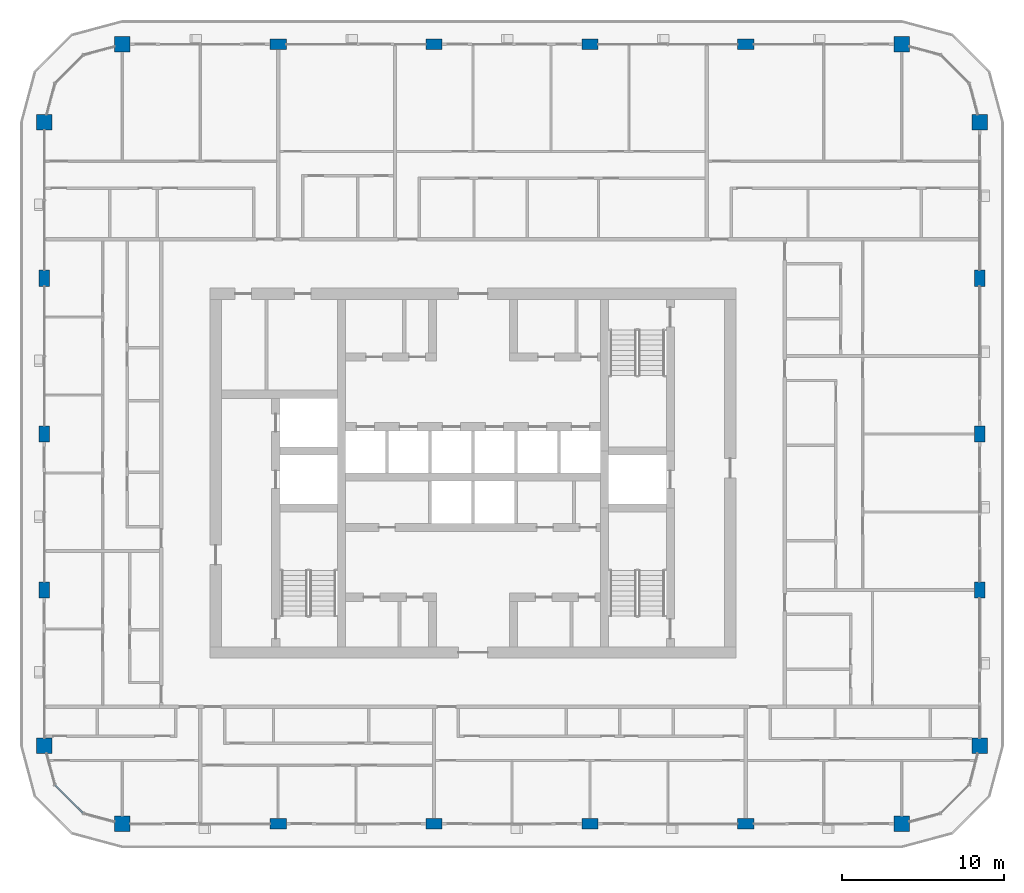
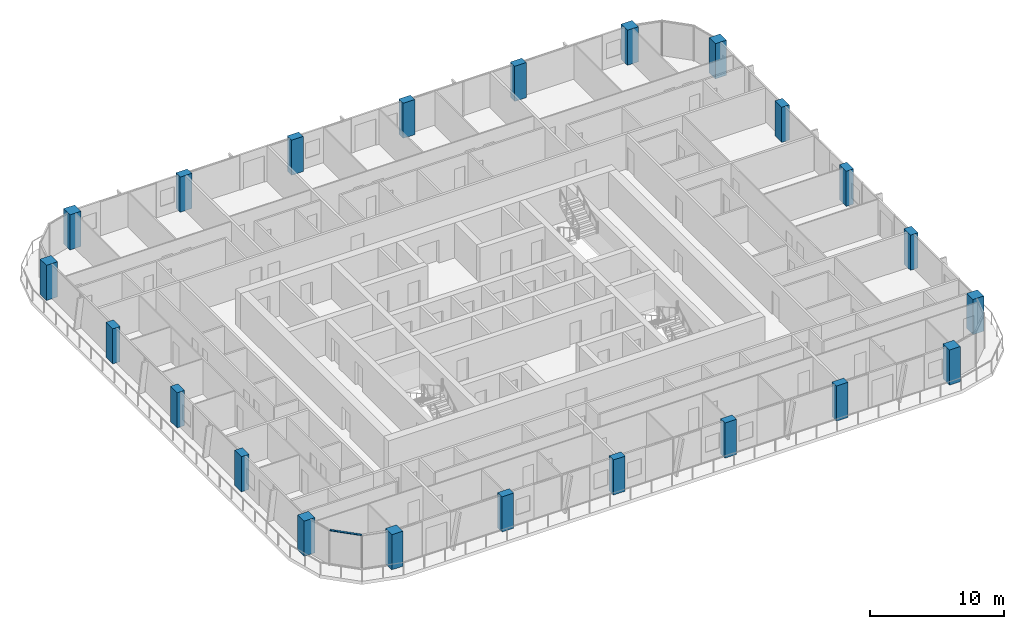
# One storey, part 1 of 23: 22 columns, 1 member, 1 element without a shape of its own.
"""IFC4 building model written with IfcOpenShell, lengths in metres."""

from ifc_helpers import new_model, si_unit, direction, frame, origin, origin_2d, place, context, subcontext, project, spatial, rectangle, extrude, material, layer, layer_set, material_profile, profile_set, type_object, element, aggregate, save


model = new_model("IFC4")

# Units and contexts
model_context = context("Model", 3, precision=1e-05, world=origin(), true_north=direction((0.0, 1.0)))
body_context = subcontext(model_context, "Body", "Model", "MODEL_VIEW")
ifc_project = project(units=[si_unit("LENGTHUNIT", "METRE"), si_unit("AREAUNIT", "SQUARE_METRE"), si_unit("VOLUMEUNIT", "CUBIC_METRE"), si_unit("PLANEANGLEUNIT", "RADIAN"), si_unit("MASSUNIT", "GRAM", prefix="KILO")], contexts=[model_context])

# Site, building, storey
site_placement = place(None, origin())
site = spatial("IfcSite", under=ifc_project, at=site_placement, CompositionType="ELEMENT")
building_placement = place(site_placement, origin())
building = spatial("IfcBuilding", under=site, at=building_placement, Name="Madar Terraces", CompositionType="ELEMENT")
storey_placement = place(building_placement, frame((0.0, 0.0, 226.300048828125)))
storey = spatial("IfcBuildingStorey", under=building, at=storey_placement, Name="L59", CompositionType="ELEMENT", Elevation=226.300048828125)

# Columns
ifc_material_1 = material(Name="Concrete C60/75", Category="concrete")
ifc_material_profile_1 = material_profile(ifc_material_1, rectangle(XDim=1.0, YDim=0.64990234375, at=origin_2d()), Name="CC4 RC 1000x650")
ifc_profile_set_1 = profile_set([ifc_material_profile_1], Name="Concrete C60/75")
column_type_1 = type_object("IfcColumnType", Name="CC4 RC 1000x650", PredefinedType="COLUMN", material=ifc_profile_set_1)
for number, where, z_axis, x_axis, name in (
    (1, (19.199951171875, 4.800048828125, 0.0), (0.0, 0.0, 1.0), (1.0, 0.0, 0.0), "Perimeter column S2"),
    (2, (28.800048828125, 4.800048828125, 0.0), (0.0, 0.0, 1.0), (1.0, 0.0, 0.0), "Perimeter column S3"),
    (3, (38.39990234375, 4.800048828125, 0.0), (0.0, 0.0, 1.0), (1.0, 0.0, 0.0), "Perimeter column S4"),
    (4, (48.0, 4.800048828125, 0.0), (0.0, 0.0, 1.0), (1.0, 0.0, 0.0), "Perimeter column S5"),
    (5, (62.39990234375, 19.199951171875, 0.0), (0.0, 0.0, 1.0), (0.0, 1.0, 0.0), "Perimeter column E2"),
    (6, (62.39990234375, 28.800048828125, 0.0), (0.0, 0.0, 1.0), (0.0, 1.0, 0.0), "Perimeter column E3"),
    (7, (62.39990234375, 38.39990234375, 0.0), (0.0, 0.0, 1.0), (0.0, 1.0, 0.0), "Perimeter column E4"),
    (8, (48.0, 52.800048828125, 0.0), (0.0, 0.0, 1.0), (1.0, 0.0, 0.0), "Perimeter column N2"),
    (9, (38.39990234375, 52.800048828125, 0.0), (0.0, 0.0, 1.0), (1.0, 0.0, 0.0), "Perimeter column N3"),
    (10, (28.800048828125, 52.800048828125, 0.0), (0.0, 0.0, 1.0), (1.0, 0.0, 0.0), "Perimeter column N4"),
    (11, (19.199951171875, 52.800048828125, 0.0), (0.0, 0.0, 1.0), (1.0, 0.0, 0.0), "Perimeter column N5"),
    (12, (4.800048828125, 38.39990234375, 0.0), (0.0, 0.0, 1.0), (0.0, 1.0, 0.0), "Perimeter column W2"),
    (13, (4.800048828125, 28.800048828125, 0.0), (0.0, 0.0, 1.0), (0.0, 1.0, 0.0), "Perimeter column W3"),
    (14, (4.800048828125, 19.199951171875, 0.0), (0.0, 0.0, 1.0), (0.0, 1.0, 0.0), "Perimeter column W4"),
):
    element("IfcColumn", number, at=place(storey_placement, frame(where, z_axis=z_axis, x_axis=x_axis)), inside=storey, type_object=column_type_1, Name=name, PredefinedType="COLUMN", context=body_context, shape_type="SweptSolid", body=[
        extrude(rectangle(XDim=1.0, YDim=0.64990234375, at=origin_2d()), origin(), (0.0, 0.0, 1.0), 3.199951171875),
    ])
ifc_material_2 = material(Name="Concrete C60/75", Category="concrete")
ifc_material_profile_2 = material_profile(ifc_material_2, rectangle(XDim=0.949951171875, YDim=0.949951171875, at=origin_2d()), Name="KC4 RC 950x950")
ifc_profile_set_2 = profile_set([ifc_material_profile_2], Name="Concrete C60/75")
column_type_2 = type_object("IfcColumnType", Name="KC4 RC 950x950", PredefinedType="COLUMN", material=ifc_profile_set_2)
for number, where, z_axis, x_axis, name in (
    (15, (9.60009765625, 4.800048828125, 0.0), (0.0, 0.0, 1.0), (1.0, 0.0, 0.0), "Perimeter column S1"),
    (16, (57.60009765625, 4.800048828125, 0.0), (0.0, 0.0, 1.0), (1.0, 0.0, 0.0), "Perimeter column S6"),
    (17, (62.39990234375, 9.60009765625, 0.0), (0.0, 0.0, 1.0), (1.0, 0.0, 0.0), "Perimeter column E1"),
    (18, (62.39990234375, 48.0, 0.0), (0.0, 0.0, 1.0), (1.0, 0.0, 0.0), "Perimeter column E5"),
    (19, (57.60009765625, 52.800048828125, 0.0), (0.0, 0.0, 1.0), (1.0, 0.0, 0.0), "Perimeter column N1"),
    (20, (9.60009765625, 52.800048828125, 0.0), (0.0, 0.0, 1.0), (1.0, 0.0, 0.0), "Perimeter column N6"),
    (21, (4.800048828125, 48.0, 0.0), (0.0, 0.0, 1.0), (1.0, 0.0, 0.0), "Perimeter column W1"),
    (22, (4.800048828125, 9.60009765625, 0.0), (0.0, 0.0, 1.0), (1.0, 0.0, 0.0), "Perimeter column W5"),
):
    element("IfcColumn", number, at=place(storey_placement, frame(where, z_axis=z_axis, x_axis=x_axis)), inside=storey, type_object=column_type_2, Name=name, PredefinedType="COLUMN", context=body_context, shape_type="SweptSolid", body=[
        extrude(rectangle(XDim=0.949951171875, YDim=0.949951171875, at=origin_2d()), origin(), (0.0, 0.0, 1.0), 3.199951171875),
    ])

# Curtain wall, member
ifc_material_3 = material(Name="Glass, ceramic frit dark grey, with black aluminium frame", Category="aluminium")
ifc_layer = layer(ifc_material_3, 0.199951171875)
ifc_layer_set = layer_set([ifc_layer], Name="Facade curtain wall, fritted glass")
curtain_wall_type = type_object("IfcCurtainWallType", Name="Facade curtain wall, fritted glass", PredefinedType="NOTDEFINED", material=ifc_layer_set)
curtain_wall_placement = place(storey_placement, origin())
curtain_wall = element("IfcCurtainWall", 23, at=curtain_wall_placement, inside=storey, type_object=curtain_wall_type, Name="Outer skin curtain wall south-west corner", PredefinedType="NOTDEFINED")
ifc_material_4 = material(Name="Aluminium, black anodised", Category="aluminium")
ifc_material_profile_3 = material_profile(ifc_material_4, rectangle(XDim=0.1201171875, YDim=0.06005859375, at=origin_2d()), Name="Facade transom 60x120")
ifc_profile_set_3 = profile_set([ifc_material_profile_3], Name="Aluminium, black anodised")
member_type = type_object("IfcMemberType", Name="Facade transom 60x120", PredefinedType="USERDEFINED", material=ifc_profile_set_3)
member_placement = place(storey_placement, frame((5.46435546875, 7.1787109375, 3.169921875), z_axis=(0.707106781187, -0.707106781187, 0.0), x_axis=(0.707106781187, 0.707106781187, 0.0)))
member = element("IfcMember", 24, at=member_placement, type_object=member_type, Name="Transom 2", ObjectType="TRANSOM", PredefinedType="USERDEFINED", context=body_context, shape_type="SweptSolid", body=[
    extrude(rectangle(XDim=0.1201171875, YDim=0.06005859375, at=origin_2d()), origin(), (0.0, 0.0, 1.0), 2.424560546875),
])
aggregate(curtain_wall, [member])

save(model, "model.ifc")
